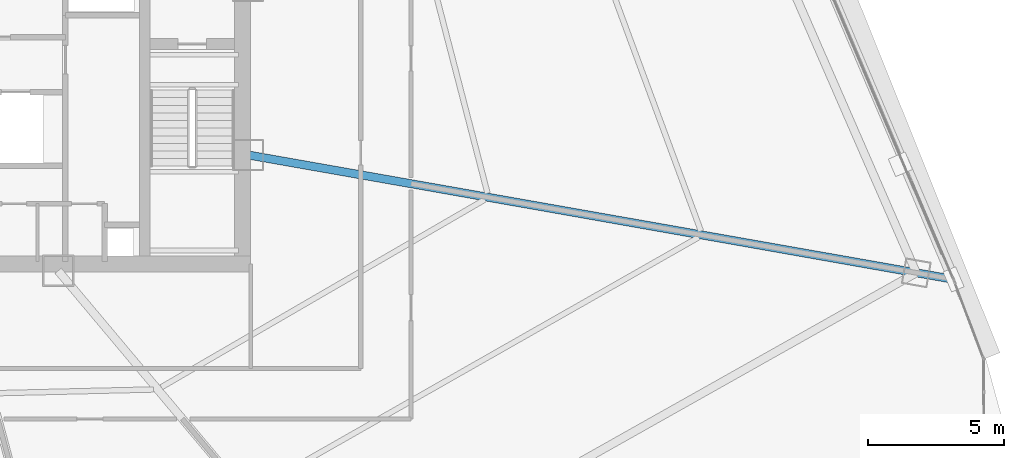
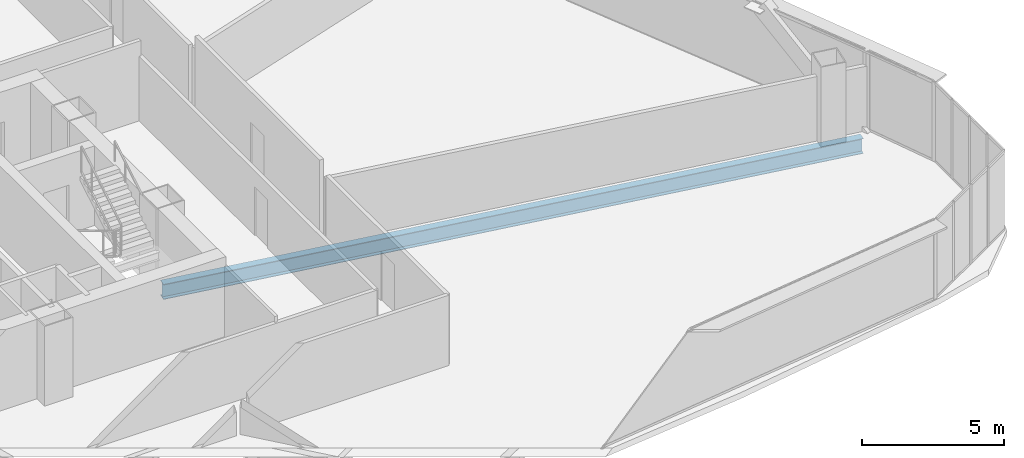
# One storey, part 25 of 40: 1 beam.
"""IFC4 building model written with IfcOpenShell, lengths in metres."""

from ifc_helpers import new_model, si_unit, direction, frame, origin, origin_2d, place, context, subcontext, project, spatial, i_section, extrude, source, transform, mapped, material, material_profile, profile_set, type_object, element, save


model = new_model("IFC4")

# Units and contexts
model_context = context("Model", 3, precision=1e-05, world=origin(), true_north=direction((0.0, 1.0)))
body_context = subcontext(model_context, "Body", "Model", "MODEL_VIEW")
ifc_project = project(units=[si_unit("LENGTHUNIT", "METRE"), si_unit("AREAUNIT", "SQUARE_METRE"), si_unit("VOLUMEUNIT", "CUBIC_METRE"), si_unit("PLANEANGLEUNIT", "RADIAN"), si_unit("MASSUNIT", "GRAM", prefix="KILO"), si_unit("THERMODYNAMICTEMPERATUREUNIT", "KELVIN"), si_unit("POWERUNIT", "WATT")], contexts=[model_context])

# Site, building, storey
site_placement = place(None, origin())
site = spatial("IfcSite", under=ifc_project, at=site_placement, CompositionType="ELEMENT")
building_placement = place(site_placement, origin())
building = spatial("IfcBuilding", under=site, at=building_placement, Name="Yunzhuo Pagoda Commons", CompositionType="ELEMENT")
storey_placement = place(building_placement, frame((0.0, 0.0, 159.27001953125)))
storey = spatial("IfcBuildingStorey", under=building, at=storey_placement, Name="L40", CompositionType="ELEMENT", Elevation=159.27001953125)

# Beam
ifc_material = material(Name="Structural steel Q355B", Category="steel")
ifc_material_profile = material_profile(ifc_material, i_section(OverallWidth=0.300048828125, OverallDepth=0.64990234375, WebThickness=0.012939453125, FlangeThickness=0.02197265625, at=origin_2d()), Name="Structural steel Q355B")
ifc_profile_set = profile_set([ifc_material_profile], Name="Structural steel Q355B")
beam_type = type_object("IfcBeamType", Name="B-RG2 Beam HN 650x300x13x22", PredefinedType="BEAM", material=ifc_profile_set)
shared_shape = source(origin(), body_context, "Body", "SweptSolid", [
    extrude(i_section(OverallWidth=0.300048828125, OverallDepth=0.64990234375, WebThickness=0.012939453125, FlangeThickness=0.02197265625, at=origin_2d()), origin(), (0.0, 0.0, 1.0), 26.2158203125),
])
beam_placement = place(storey_placement, frame((86.217529296875, 26.961181640625, -0.5849609375), z_axis=(-0.98480839303, 0.173644547905, 0.0), x_axis=(-0.173644547905, -0.98480839303, 0.0)))
element("IfcBeam", 1, at=beam_placement, inside=storey, type_object=beam_type, Name="L40 radial floor girder F2C1", PredefinedType="BEAM", context=body_context, shape_type="MappedRepresentation", body=[
    mapped(shared_shape, transform((0.0, 0.0, 0.0), scale=1.0)),
])

save(model, "model.ifc")
